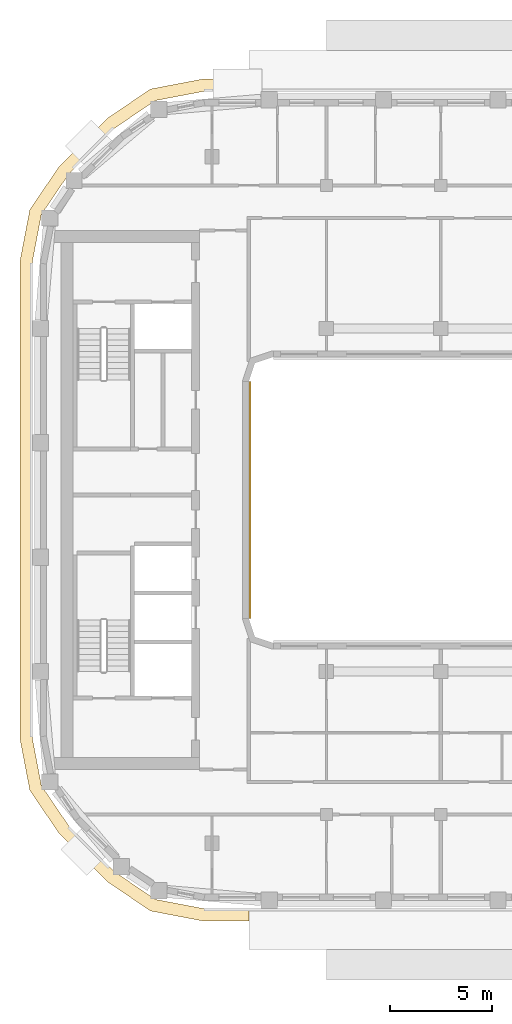
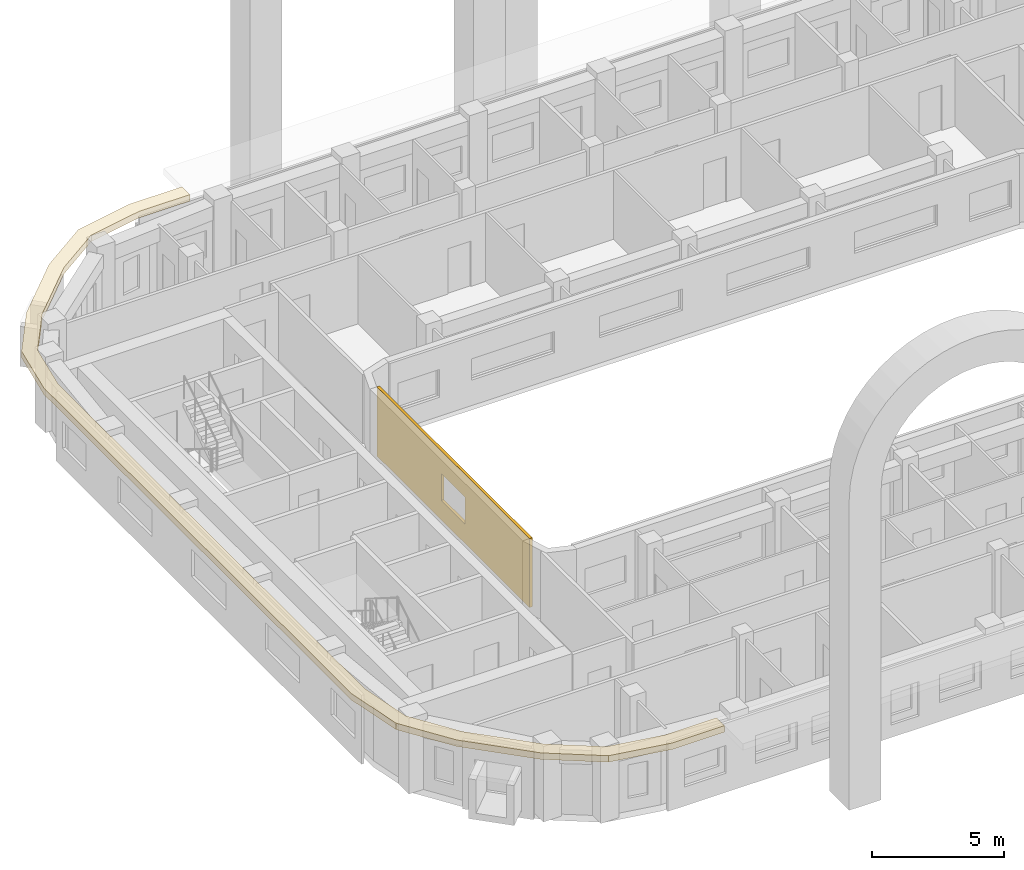
# One storey, part 13 of 18: 2 coverings.
"""IFC4 building model written with IfcOpenShell, lengths in metres."""

from ifc_helpers import new_model, si_unit, direction, frame, origin, place, context, subcontext, project, spatial, polyline, outline, extrude, material, layer, layer_set, type_object, element, save


model = new_model("IFC4")

# Units and contexts
model_context = context("Model", 3, precision=1e-05, world=origin(), true_north=direction((0.0, 1.0)))
body_context = subcontext(model_context, "Body", "Model", "MODEL_VIEW")
ifc_project = project(units=[si_unit("LENGTHUNIT", "METRE"), si_unit("AREAUNIT", "SQUARE_METRE"), si_unit("VOLUMEUNIT", "CUBIC_METRE"), si_unit("PLANEANGLEUNIT", "RADIAN"), si_unit("MASSUNIT", "GRAM", prefix="KILO")], contexts=[model_context])

# Site, building, storey
site_placement = place(None, origin())
site = spatial("IfcSite", under=ifc_project, at=site_placement, CompositionType="ELEMENT")
building_placement = place(site_placement, origin())
building = spatial("IfcBuilding", under=site, at=building_placement, Name="Kiln Ring Residences", CompositionType="ELEMENT")
storey_placement = place(building_placement, frame((0.0, 0.0, 262.699951171875)))
storey = spatial("IfcBuildingStorey", under=building, at=storey_placement, Name="L68", CompositionType="ELEMENT", Elevation=262.699951171875)

# Coverings
ifc_material_1 = material(Name="Brick masonry, dark clay brick", Category="masonry")
ifc_layer_1 = layer(ifc_material_1, 0.1201171875)
ifc_layer_set_1 = layer_set([ifc_layer_1], Name="RAINSCREEN PANEL 120")
covering_type_1 = type_object("IfcCoveringType", Name="RAINSCREEN PANEL 120", PredefinedType="CLADDING", material=ifc_layer_set_1)
covering_1_placement = place(storey_placement, frame((-14.93994140625, -5.800048828125, 0.0), z_axis=(0.0, 0.0, 1.0), x_axis=(0.0, 1.0, 0.0)))
element("IfcCovering", 1, at=covering_1_placement, inside=storey, type_object=covering_type_1, Name="RAINSCREEN L68", PredefinedType="CLADDING", context=body_context, shape_type="SweptSolid", body=[
    extrude(outline(polyline([(0.0, 0.0), (11.60009765625, 0.0), (11.60009765625, 3.199951171875), (0.0, 3.199951171875), (0.0, 0.0)]), holes=[polyline([(4.89990234375, 2.150146484375), (4.89990234375, 0.900146484375), (6.699951171875, 0.900146484375), (6.699951171875, 2.150146484375), (4.89990234375, 2.150146484375)])]), frame((0.0, 0.06005859375, 0.0), z_axis=(0.0, -1.0, 0.0), x_axis=(1.0, 0.0, 0.0)), (0.0, 0.0, 1.0), 0.1201171875),
])
ifc_material_2 = material(Name="Black powder-coated steel", Category="steel")
ifc_layer_2 = layer(ifc_material_2, 0.300048828125)
ifc_layer_set_2 = layer_set([ifc_layer_2], Name="SUNSHADE FIN 600")
covering_type_2 = type_object("IfcCoveringType", Name="SUNSHADE FIN 600", PredefinedType="CLADDING", material=ifc_layer_set_2)
covering_2_placement = place(storey_placement, frame((0.0, 0.0, 3.199951171875)))
element("IfcCovering", 2, at=covering_2_placement, inside=storey, type_object=covering_type_2, Name="SUNSHADE FIN L68", PredefinedType="CLADDING", context=body_context, shape_type="SweptSolid", body=[
    extrude(outline(polyline([(-26.199951171875, -11.694580078125), (-25.71923828125, -14.215087890625), (-24.27685546875, -16.33740234375), (-21.937255859375, -18.677001953125), (-19.815185546875, -20.119140625), (-17.29443359375, -20.60009765625), (-15.0, -20.60009765625), (-15.0, -20.0), (-17.23779296875, -20.0), (-19.58056640625, -19.552978515625), (-21.55322265625, -18.21240234375), (-23.8125, -15.953125), (-25.153076171875, -13.980712890625), (-25.60009765625, -11.6376953125), (-25.60009765625, 11.6376953125), (-25.153076171875, 13.980712890625), (-23.8125, 15.953125), (-21.55322265625, 18.21240234375), (-19.58056640625, 19.552978515625), (-17.23779296875, 20.0), (-15.0, 20.0), (-15.0, 20.60009765625), (-17.29443359375, 20.60009765625), (-19.815185546875, 20.119140625), (-21.937255859375, 18.677001953125), (-24.27685546875, 16.33740234375), (-25.71923828125, 14.215087890625), (-26.199951171875, 11.694580078125), (-26.199951171875, -11.694580078125)])), origin(), (0.0, 0.0, 1.0), 0.300048828125),
])

save(model, "model.ifc")
